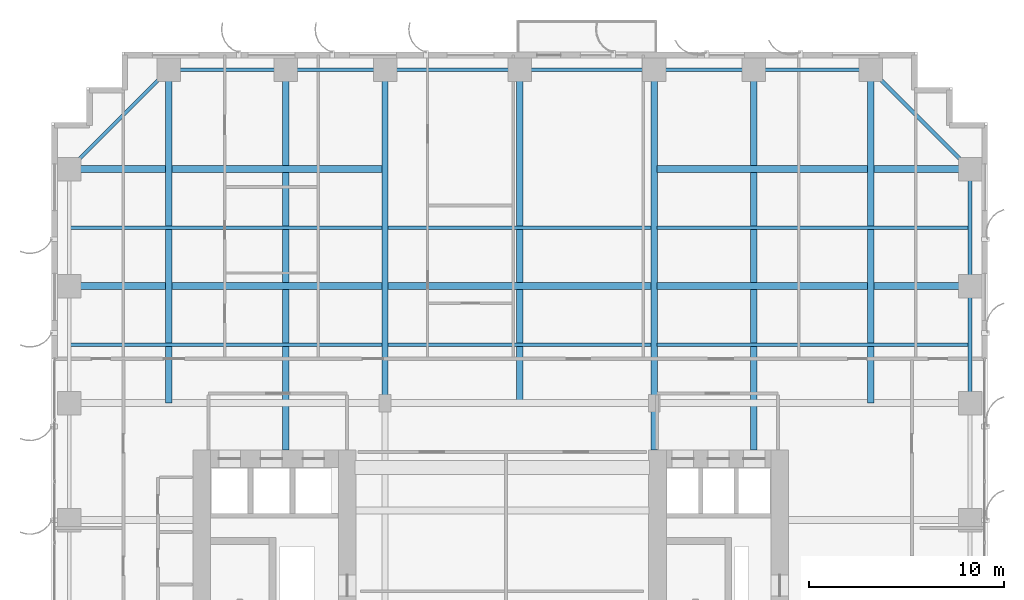
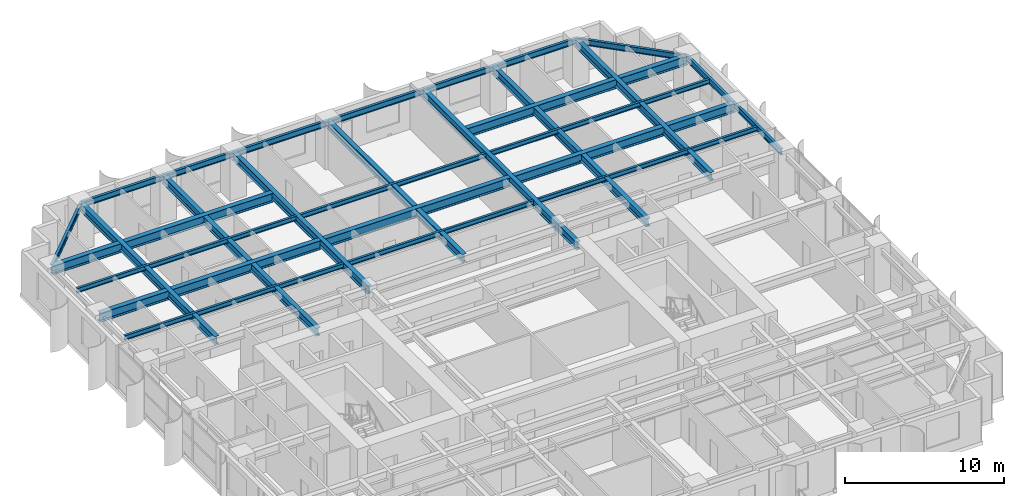
# One storey, part 6 of 17: 28 beams.
"""IFC4 building model written with IfcOpenShell, lengths in metres."""

import ifcopenshell
import ifcopenshell.guid

model = None  # the IFC model being written
_history = None  # IfcOwnerHistory: only IFC2X3 demands one
_inside = {}  # id of a spatial element -> (the spatial element, [elements in it])
_under = {}  # id of a project, library or spatial element -> (it, [spatial elements below it])
_declared = {}  # id of a project -> (the project, [libraries it declares])
_typed = {}  # id of a type object -> (the type object, [elements of that type])
_made_of = {}  # id of a material, layer set ... -> (it, [elements and type objects made of it])


def new_model(schema):
    """Start an empty IFC model of exactly this schema.

    Asked for "IFC4X3", IfcOpenShell would pick the latest addendum, in which some entities
    have other attributes; the version numbers below select the first issue.
    IFC2X3 requires an IfcOwnerHistory on every rooted entity: one is made here for all.
    """
    global model, _history
    if schema == "IFC4X3":
        model = ifcopenshell.file(schema_version=(4, 3, 0, 0))
    else:
        model = ifcopenshell.file(schema=schema)
    _inside.clear()
    _under.clear()
    _declared.clear()
    _typed.clear()
    _made_of.clear()
    _history = None
    if model.schema == "IFC2X3":
        org = make("IfcOrganization", Name="unknown")
        user = make(
            "IfcPersonAndOrganization",
            ThePerson=make("IfcPerson", FamilyName="unknown"),
            TheOrganization=org,
        )
        app = make(
            "IfcApplication",
            ApplicationDeveloper=org,
            Version="unknown",
            ApplicationFullName="unknown",
            ApplicationIdentifier="unknown",
        )
        _history = make(
            "IfcOwnerHistory",
            OwningUser=user,
            OwningApplication=app,
            ChangeAction="ADDED",
            CreationDate=0,
        )
    return model


def make(cls, **values):
    """One entity of the class cls with the attributes given. An attribute that is None is left unset."""
    return model.create_entity(
        cls, **{name: value for name, value in values.items() if value is not None}
    )


def rooted(cls, **values):
    """An entity with a GlobalId (a new one), such as an element, a storey or a relation."""
    return make(cls, GlobalId=ifcopenshell.guid.new(), OwnerHistory=_history, **values)


def si_unit(unit_type, name, prefix=None):
    """IfcSIUnit, for example si_unit("LENGTHUNIT", "METRE", prefix="MILLI")."""
    return make("IfcSIUnit", UnitType=unit_type, Prefix=prefix, Name=name)


def assignment(units):
    """IfcUnitAssignment: the units of a project."""
    return None if units is None else make("IfcUnitAssignment", Units=units)


def point(xyz):
    """IfcCartesianPoint."""
    return None if xyz is None else make("IfcCartesianPoint", Coordinates=xyz)


def direction(xyz):
    """IfcDirection."""
    return None if xyz is None else make("IfcDirection", DirectionRatios=xyz)


def frame(location, z_axis=None, x_axis=None):
    """IfcAxis2Placement3D, a coordinate frame: its origin and axes. An axis left out is left unset."""
    return make(
        "IfcAxis2Placement3D",
        Location=point(location),
        Axis=direction(z_axis),
        RefDirection=direction(x_axis),
    )


def frame_2d(location, x_axis=None):
    """IfcAxis2Placement2D, a coordinate frame in the plane: its origin and x axis."""
    return make(
        "IfcAxis2Placement2D", Location=point(location), RefDirection=direction(x_axis)
    )


def origin():
    """The frame at (0, 0, 0) with its axes left unset."""
    return frame((0.0, 0.0, 0.0))


def origin_2d():
    """The frame at (0, 0) in the plane with its x axis left unset."""
    return frame_2d((0.0, 0.0))


def place(relative_to, where):
    """IfcLocalPlacement: puts the frame where relative to a parent placement (None: the world)."""
    return make(
        "IfcLocalPlacement", PlacementRelTo=relative_to, RelativePlacement=where
    )


def context(
    kind, dimensions, precision=None, world=None, true_north=None, identifier=None
):
    """IfcGeometricRepresentationContext, for example the 3D "Model" context."""
    return make(
        "IfcGeometricRepresentationContext",
        ContextIdentifier=identifier,
        ContextType=kind,
        CoordinateSpaceDimension=dimensions,
        Precision=precision,
        WorldCoordinateSystem=world,
        TrueNorth=true_north,
    )


def subcontext(parent, identifier, kind, view, scale=None):
    """IfcGeometricRepresentationSubContext, for example "Body" below "Model"."""
    return make(
        "IfcGeometricRepresentationSubContext",
        ContextIdentifier=identifier,
        ContextType=kind,
        ParentContext=parent,
        TargetScale=scale,
        TargetView=view,
    )


def project(units=None, contexts=None):
    """IfcProject with its units and contexts."""
    return rooted(
        "IfcProject",
        Name="project",
        RepresentationContexts=contexts,
        UnitsInContext=assignment(units),
    )


def spatial(cls, under=None, at=None, **own):
    """A site, building, storey or space (cls), placed at a placement, below another one or the project."""
    s = rooted(cls, ObjectPlacement=at, **own)
    if under is not None:
        _under.setdefault(under.id(), (under, []))[1].append(s)
    return s


def profile(cls, at=None, kind="AREA", **sizes):
    """A parametric profile (cls). Its sizes go by their IFC names, for example OverallWidth=200.0."""
    return make(cls, ProfileType=kind, Position=at, **sizes)


def i_section(**sizes):
    """IfcIShapeProfileDef."""
    return profile("IfcIShapeProfileDef", **sizes)


def extrude(swept, where, along, depth):
    """IfcExtrudedAreaSolid: the profile swept, set in the frame where, extruded along a direction by depth."""
    return make(
        "IfcExtrudedAreaSolid",
        SweptArea=swept,
        Position=where,
        ExtrudedDirection=direction(along),
        Depth=depth,
    )


def shape(context_of_items, identifier, shape_type, items):
    """IfcShapeRepresentation: the items that make up one representation, for example the "Body"."""
    return make(
        "IfcShapeRepresentation",
        ContextOfItems=context_of_items,
        RepresentationIdentifier=identifier,
        RepresentationType=shape_type,
        Items=items,
    )


def source(mapping_origin, context_of_items, identifier, shape_type, items):
    """IfcRepresentationMap: a shape defined once, which mapped items show again and again."""
    return make(
        "IfcRepresentationMap",
        MappingOrigin=mapping_origin,
        MappedRepresentation=shape(context_of_items, identifier, shape_type, items),
    )


def transform(
    local_origin,
    x_axis=None,
    y_axis=None,
    z_axis=None,
    scale=None,
    scale2=None,
    scale3=None,
    uniform=True,
):
    """IfcCartesianTransformationOperator3D, or its non-uniform kind. x_axis, y_axis, z_axis: its Axis1, 2, 3."""
    if uniform:
        return make(
            "IfcCartesianTransformationOperator3D",
            Axis1=direction(x_axis),
            Axis2=direction(y_axis),
            LocalOrigin=point(local_origin),
            Scale=scale,
            Axis3=direction(z_axis),
        )
    return make(
        "IfcCartesianTransformationOperator3DnonUniform",
        Axis1=direction(x_axis),
        Axis2=direction(y_axis),
        LocalOrigin=point(local_origin),
        Scale=scale,
        Axis3=direction(z_axis),
        Scale2=scale2,
        Scale3=scale3,
    )


def mapped(mapping_source, mapping_target):
    """IfcMappedItem: shows the shape of a source again, moved by a transform."""
    return make(
        "IfcMappedItem", MappingSource=mapping_source, MappingTarget=mapping_target
    )


def material(Name=None, Category=None):
    """IfcMaterial."""
    return make("IfcMaterial", Name=Name, Category=Category)


def material_profile(
    of_material, cross_section, Name=None, Category=None, Priority=None
):
    """IfcMaterialProfile: a cross section and its material."""
    return make(
        "IfcMaterialProfile",
        Name=Name,
        Material=of_material,
        Profile=cross_section,
        Priority=Priority,
        Category=Category,
    )


def profile_set(profiles, Name=None, composite=None):
    """IfcMaterialProfileSet."""
    return make(
        "IfcMaterialProfileSet",
        Name=Name,
        MaterialProfiles=profiles,
        CompositeProfile=composite,
    )


def made_of(thing, what):
    """Note that an element or type object is made of a material, layer set ...; save() writes the relation."""
    if what is not None:
        _made_of.setdefault(what.id(), (what, []))[1].append(thing)
    return thing


def type_object(cls, material=None, **own):
    """A type object (cls), such as IfcWallType, which elements share."""
    return made_of(rooted(cls, **own), material)


def element(
    cls,
    number,
    at=None,
    inside=None,
    cuts=None,
    type_object=None,
    material=None,
    context=None,
    identifier="Body",
    shape_type=None,
    held_by="IfcProductDefinitionShape",
    body=None,
    shapes=None,
    **own,
):
    """One element of the class cls, such as IfcWall. Its Tag is "e" and its number.

    at: its placement. inside: the storey or other place that contains it. cuts: it is an
    opening in that element (IfcRelVoidsElement). A single representation is given by context,
    identifier, shape_type and body (its items); several are given by shapes. held_by: the class
    of the entity that holds the representations. save() writes the other relations.
    """
    e = rooted(cls, Tag="e%d" % number, ObjectPlacement=at, **own)
    if body is not None:
        shapes = [shape(context, identifier, shape_type, body)]
    if shapes is not None:
        e.Representation = make(held_by, Representations=shapes)
    if inside is not None:
        _inside.setdefault(inside.id(), (inside, []))[1].append(e)
    if cuts is not None:
        rooted(
            "IfcRelVoidsElement", RelatingBuildingElement=cuts, RelatedOpeningElement=e
        )
    if type_object is not None:
        _typed.setdefault(type_object.id(), (type_object, []))[1].append(e)
    return made_of(e, material)


def aggregate(whole, parts):
    """IfcRelAggregates: a whole, such as a stair, and the parts it consists of."""
    return rooted("IfcRelAggregates", RelatingObject=whole, RelatedObjects=parts)


def save(model, path):
    """Write the relations noted so far, then the file.

    IfcRelAggregates (storeys below a building ...), IfcRelContainedInSpatialStructure (elements
    in a storey), IfcRelDefinesByType, IfcRelAssociatesMaterial and IfcRelDeclares: one each for
    every whole, place, type object, material and project.
    """
    for whole, parts in _under.values():
        aggregate(whole, parts)
    for where, things in _inside.values():
        rooted(
            "IfcRelContainedInSpatialStructure",
            RelatedElements=things,
            RelatingStructure=where,
        )
    for kind, things in _typed.values():
        rooted("IfcRelDefinesByType", RelatedObjects=things, RelatingType=kind)
    for what, things in _made_of.values():
        rooted("IfcRelAssociatesMaterial", RelatedObjects=things, RelatingMaterial=what)
    for by, libraries in _declared.values():
        rooted("IfcRelDeclares", RelatingContext=by, RelatedDefinitions=libraries)
    model.write(path)


model = new_model("IFC4")

# Units and contexts
model_context = context("Model", 3, precision=1e-05, world=origin(), true_north=direction((0.0, 1.0)))
body_context = subcontext(model_context, "Body", "Model", "MODEL_VIEW")
ifc_project = project(units=[si_unit("LENGTHUNIT", "METRE"), si_unit("AREAUNIT", "SQUARE_METRE"), si_unit("VOLUMEUNIT", "CUBIC_METRE"), si_unit("PLANEANGLEUNIT", "RADIAN"), si_unit("MASSUNIT", "GRAM", prefix="KILO")], contexts=[model_context])

# Site, building, storey
site_placement = place(None, origin())
site = spatial("IfcSite", under=ifc_project, at=site_placement, CompositionType="ELEMENT")
building_placement = place(site_placement, origin())
building = spatial("IfcBuilding", under=site, at=building_placement, Name="Khoralis Quay Care Tower", CompositionType="ELEMENT")
storey_placement = place(building_placement, frame((0.0, 0.0, 58.5)))
storey = spatial("IfcBuildingStorey", under=building, at=storey_placement, Name="L15", CompositionType="ELEMENT", Elevation=58.5)

# Beams
ifc_material = material(Name="Steel S355", Category="steel")
ifc_material_profile_1 = material_profile(ifc_material, i_section(OverallWidth=0.18994140625, OverallDepth=0.449951171875, WebThickness=0.009521484375, FlangeThickness=0.0146484375, FilletRadius=0.02099609375, at=origin_2d()), Name="Steel S355")
ifc_profile_set_1 = profile_set([ifc_material_profile_1], Name="Steel S355")
beam_type_1 = type_object("IfcBeamType", Name="BM-IPE450", PredefinedType="SPANDREL", material=ifc_profile_set_1)
shared_shape_1 = source(origin(), body_context, "Body", "SweptSolid", [
    extrude(i_section(OverallWidth=0.18994140625, OverallDepth=0.449951171875, WebThickness=0.009521484375, FlangeThickness=0.0146484375, FilletRadius=0.02099609375, at=origin_2d()), origin(), (0.0, 0.0, 1.0), 6.0),
])
for number, where, z_axis, x_axis, name in (
    (1, (6.0, 47.10009765625, 3.094970703125), (1.0, 0.0, 0.0), (0.0, 1.0, 0.0), "BM-TSP-L15-07"),
    (2, (36.0, 47.10009765625, 3.094970703125), (1.0, 0.0, 0.0), (0.0, 1.0, 0.0), "BM-TSP-L15-12"),
    (3, (47.10009765625, 30.0, 3.094970703125), (0.0, 1.0, 0.0), (-1.0, 0.0, 0.0), "BM-TSP-L15-23"),
    (4, (47.10009765625, 36.0, 3.094970703125), (0.0, 1.0, 0.0), (-1.0, 0.0, 0.0), "BM-TSP-L15-24"),
):
    element("IfcBeam", number, at=place(storey_placement, frame(where, z_axis=z_axis, x_axis=x_axis)), inside=storey, type_object=beam_type_1, Name=name, PredefinedType="SPANDREL", context=body_context, shape_type="MappedRepresentation", body=[
        mapped(shared_shape_1, transform((0.0, 0.0, 0.0), scale=1.0)),
    ])
shared_shape_2 = source(origin(), body_context, "Body", "SweptSolid", [
    extrude(i_section(OverallWidth=0.18994140625, OverallDepth=0.449951171875, WebThickness=0.009521484375, FlangeThickness=0.0146484375, FilletRadius=0.02099609375, at=origin_2d()), origin(), (0.0, 0.0, 1.0), 5.10009765625),
])
for number, where, z_axis, x_axis, name in (
    (5, (12.0, 47.10009765625, 3.094970703125), (1.0, 0.0, 0.0), (0.0, 1.0, 0.0), "BM-TSP-L15-08"),
    (6, (30.89990234375, 47.10009765625, 3.094970703125), (1.0, 0.0, 0.0), (0.0, 1.0, 0.0), "BM-TSP-L15-11"),
):
    element("IfcBeam", number, at=place(storey_placement, frame(where, z_axis=z_axis, x_axis=x_axis)), inside=storey, type_object=beam_type_1, Name=name, PredefinedType="SPANDREL", context=body_context, shape_type="MappedRepresentation", body=[
        mapped(shared_shape_2, transform((0.0, 0.0, 0.0), scale=1.0)),
    ])
shared_shape_3 = source(origin(), body_context, "Body", "SweptSolid", [
    extrude(i_section(OverallWidth=0.18994140625, OverallDepth=0.449951171875, WebThickness=0.009521484375, FlangeThickness=0.0146484375, FilletRadius=0.02099609375, at=origin_2d()), origin(), (0.0, 0.0, 1.0), 6.89990234375),
])
for number, where, z_axis, x_axis, name in (
    (7, (17.10009765625, 47.10009765625, 3.094970703125), (1.0, 0.0, 0.0), (0.0, 1.0, 0.0), "BM-TSP-L15-09"),
    (8, (24.0, 47.10009765625, 3.094970703125), (1.0, 0.0, 0.0), (0.0, 1.0, 0.0), "BM-TSP-L15-10"),
):
    element("IfcBeam", number, at=place(storey_placement, frame(where, z_axis=z_axis, x_axis=x_axis)), inside=storey, type_object=beam_type_1, Name=name, PredefinedType="SPANDREL", context=body_context, shape_type="MappedRepresentation", body=[
        mapped(shared_shape_3, transform((0.0, 0.0, 0.0), scale=1.0)),
    ])
shared_shape_4 = source(origin(), body_context, "Body", "SweptSolid", [
    extrude(i_section(OverallWidth=0.18994140625, OverallDepth=0.449951171875, WebThickness=0.009521484375, FlangeThickness=0.0146484375, FilletRadius=0.02099609375, at=origin_2d()), origin(), (0.0, 0.0, 1.0), 7.212646484375),
])
for number, where, z_axis, x_axis, name in (
    (9, (6.0, 47.10009765625, 3.094970703125), (-0.707106781187, -0.707106781187, 0.0), (0.707106781187, -0.707106781187, 0.0), "BM-TCR-L15-27"),
    (10, (42.0, 47.10009765625, 3.094970703125), (0.707106781187, -0.707106781187, 0.0), (0.707106781187, 0.707106781187, 0.0), "BM-TCR-L15-28"),
):
    element("IfcBeam", number, at=place(storey_placement, frame(where, z_axis=z_axis, x_axis=x_axis)), inside=storey, type_object=beam_type_1, Name=name, PredefinedType="SPANDREL", context=body_context, shape_type="MappedRepresentation", body=[
        mapped(shared_shape_4, transform((0.0, 0.0, 0.0), scale=1.0)),
    ])
ifc_material_profile_2 = material_profile(ifc_material, i_section(OverallWidth=0.35498046875, OverallDepth=0.695068359375, WebThickness=0.015380859375, FlangeThickness=0.02490234375, FilletRadius=0.02001953125, at=origin_2d()), Name="Steel S355")
ifc_profile_set_2 = profile_set([ifc_material_profile_2], Name="Steel S355")
beam_type_2 = type_object("IfcBeamType", Name="BM-W690X217", PredefinedType="BEAM", material=ifc_profile_set_2)
shared_shape_5 = source(origin(), body_context, "Body", "SweptSolid", [
    extrude(i_section(OverallWidth=0.35498046875, OverallDepth=0.695068359375, WebThickness=0.015380859375, FlangeThickness=0.02490234375, FilletRadius=0.02001953125, at=origin_2d()), origin(), (0.0, 0.0, 1.0), 16.049560546875),
])
for number, where, z_axis, x_axis, name in (
    (11, (0.89990234375, 36.0, 2.972412109375), (1.0, 0.0, 0.0), (0.0, 1.0, 0.0), "BM-TGXW-L15-360"),
    (12, (0.89990234375, 42.0, 2.972412109375), (1.0, 0.0, 0.0), (0.0, 1.0, 0.0), "BM-TGXW-L15-420"),
    (13, (31.050537109375, 36.0, 2.972412109375), (1.0, 0.0, 0.0), (0.0, 1.0, 0.0), "BM-TGXE-L15-360"),
    (14, (31.050537109375, 42.0, 2.972412109375), (1.0, 0.0, 0.0), (0.0, 1.0, 0.0), "BM-TGXE-L15-420"),
):
    element("IfcBeam", number, at=place(storey_placement, frame(where, z_axis=z_axis, x_axis=x_axis)), inside=storey, type_object=beam_type_2, Name=name, PredefinedType="BEAM", context=body_context, shape_type="MappedRepresentation", body=[
        mapped(shared_shape_5, transform((0.0, 0.0, 0.0), scale=1.0)),
    ])
shared_shape_6 = source(origin(), body_context, "Body", "SweptSolid", [
    extrude(i_section(OverallWidth=0.35498046875, OverallDepth=0.695068359375, WebThickness=0.015380859375, FlangeThickness=0.02490234375, FilletRadius=0.02001953125, at=origin_2d()), origin(), (0.0, 0.0, 1.0), 13.4990234375),
])
beam_placement = place(storey_placement, frame((17.25048828125, 36.0, 2.972412109375), z_axis=(1.0, 0.0, 0.0), x_axis=(0.0, 1.0, 0.0)))
element("IfcBeam", 15, at=beam_placement, inside=storey, type_object=beam_type_2, Name="BM-TGCC-L15-360", PredefinedType="BEAM", context=body_context, shape_type="MappedRepresentation", body=[
    mapped(shared_shape_6, transform((0.0, 0.0, 0.0), scale=1.0)),
])
ifc_material_profile_3 = material_profile(ifc_material, i_section(OverallWidth=0.324951171875, OverallDepth=0.615966796875, WebThickness=0.013916015625, FlangeThickness=0.021484375, FilletRadius=0.01806640625, at=origin_2d()), Name="Steel S355")
ifc_profile_set_3 = profile_set([ifc_material_profile_3], Name="Steel S355")
beam_type_3 = type_object("IfcBeamType", Name="BM-W610X174", PredefinedType="BEAM", material=ifc_profile_set_3)
shared_shape_7 = source(origin(), body_context, "Body", "SweptSolid", [
    extrude(i_section(OverallWidth=0.324951171875, OverallDepth=0.615966796875, WebThickness=0.013916015625, FlangeThickness=0.021484375, FilletRadius=0.01806640625, at=origin_2d()), origin(), (0.0, 0.0, 1.0), 17.10009765625),
])
for number, where, z_axis, x_axis, name in (
    (16, (6.0, 30.0, 3.011962890625), (0.0, 1.0, 0.0), (-1.0, 0.0, 0.0), "BM-TGYN-L15-60"),
    (17, (17.10009765625, 30.0, 3.011962890625), (0.0, 1.0, 0.0), (-1.0, 0.0, 0.0), "BM-TGYN-L15-171"),
    (18, (24.0, 30.0, 3.011962890625), (0.0, 1.0, 0.0), (-1.0, 0.0, 0.0), "BM-TGYN-L15-240"),
    (19, (42.0, 30.0, 3.011962890625), (0.0, 1.0, 0.0), (-1.0, 0.0, 0.0), "BM-TGYN-L15-420"),
):
    element("IfcBeam", number, at=place(storey_placement, frame(where, z_axis=z_axis, x_axis=x_axis)), inside=storey, type_object=beam_type_3, Name=name, PredefinedType="BEAM", context=body_context, shape_type="MappedRepresentation", body=[
        mapped(shared_shape_7, transform((0.0, 0.0, 0.0), scale=1.0)),
    ])
shared_shape_8 = source(origin(), body_context, "Body", "SweptSolid", [
    extrude(i_section(OverallWidth=0.324951171875, OverallDepth=0.615966796875, WebThickness=0.013916015625, FlangeThickness=0.021484375, FilletRadius=0.01806640625, at=origin_2d()), origin(), (0.0, 0.0, 1.0), 19.502197265625),
])
for number, where, z_axis, x_axis, name in (
    (20, (12.0, 27.597900390625, 3.011962890625), (0.0, 1.0, 0.0), (-1.0, 0.0, 0.0), "BM-TGYN-L15-120"),
    (21, (30.89990234375, 27.597900390625, 3.011962890625), (0.0, 1.0, 0.0), (-1.0, 0.0, 0.0), "BM-TGYN-L15-309"),
    (22, (36.0, 27.597900390625, 3.011962890625), (0.0, 1.0, 0.0), (-1.0, 0.0, 0.0), "BM-TGYN-L15-360"),
):
    element("IfcBeam", number, at=place(storey_placement, frame(where, z_axis=z_axis, x_axis=x_axis)), inside=storey, type_object=beam_type_3, Name=name, PredefinedType="BEAM", context=body_context, shape_type="MappedRepresentation", body=[
        mapped(shared_shape_8, transform((0.0, 0.0, 0.0), scale=1.0)),
    ])
ifc_material_profile_4 = material_profile(ifc_material, i_section(OverallWidth=0.1708984375, OverallDepth=0.35498046875, WebThickness=0.007080078125, FlangeThickness=0.01171875, FilletRadius=0.012939453125, at=origin_2d()), Name="Steel S355")
ifc_profile_set_4 = profile_set([ifc_material_profile_4], Name="Steel S355")
beam_type_4 = type_object("IfcBeamType", Name="BM-W360X51", PredefinedType="JOIST", material=ifc_profile_set_4)
shared_shape_9 = source(origin(), body_context, "Body", "SweptSolid", [
    extrude(i_section(OverallWidth=0.1708984375, OverallDepth=0.35498046875, WebThickness=0.007080078125, FlangeThickness=0.01171875, FilletRadius=0.012939453125, at=origin_2d()), origin(), (0.0, 0.0, 1.0), 15.968505859375),
])
for number, where, z_axis, x_axis, name in (
    (23, (0.98095703125, 33.0, 3.142578125), (1.0, 0.0, 0.0), (0.0, 1.0, 0.0), "BM-TJS-L15-32"),
    (24, (31.050537109375, 33.0, 3.142578125), (1.0, 0.0, 0.0), (0.0, 1.0, 0.0), "BM-TJS-L15-33"),
    (25, (0.98095703125, 39.0, 3.142578125), (1.0, 0.0, 0.0), (0.0, 1.0, 0.0), "BM-TJS-L15-35"),
    (26, (31.050537109375, 39.0, 3.142578125), (1.0, 0.0, 0.0), (0.0, 1.0, 0.0), "BM-TJS-L15-36"),
):
    element("IfcBeam", number, at=place(storey_placement, frame(where, z_axis=z_axis, x_axis=x_axis)), inside=storey, type_object=beam_type_4, Name=name, PredefinedType="JOIST", context=body_context, shape_type="MappedRepresentation", body=[
        mapped(shared_shape_9, transform((0.0, 0.0, 0.0), scale=1.0)),
    ])
shared_shape_10 = source(origin(), body_context, "Body", "SweptSolid", [
    extrude(i_section(OverallWidth=0.1708984375, OverallDepth=0.35498046875, WebThickness=0.007080078125, FlangeThickness=0.01171875, FilletRadius=0.012939453125, at=origin_2d()), origin(), (0.0, 0.0, 1.0), 13.4990234375),
])
for number, where, z_axis, x_axis, name in (
    (27, (17.25048828125, 33.0, 3.142578125), (1.0, 0.0, 0.0), (0.0, 1.0, 0.0), "BM-TJS-L15-34"),
    (28, (17.25048828125, 39.0, 3.142578125), (1.0, 0.0, 0.0), (0.0, 1.0, 0.0), "BM-TJS-L15-37"),
):
    element("IfcBeam", number, at=place(storey_placement, frame(where, z_axis=z_axis, x_axis=x_axis)), inside=storey, type_object=beam_type_4, Name=name, PredefinedType="JOIST", context=body_context, shape_type="MappedRepresentation", body=[
        mapped(shared_shape_10, transform((0.0, 0.0, 0.0), scale=1.0)),
    ])

save(model, "model.ifc")
